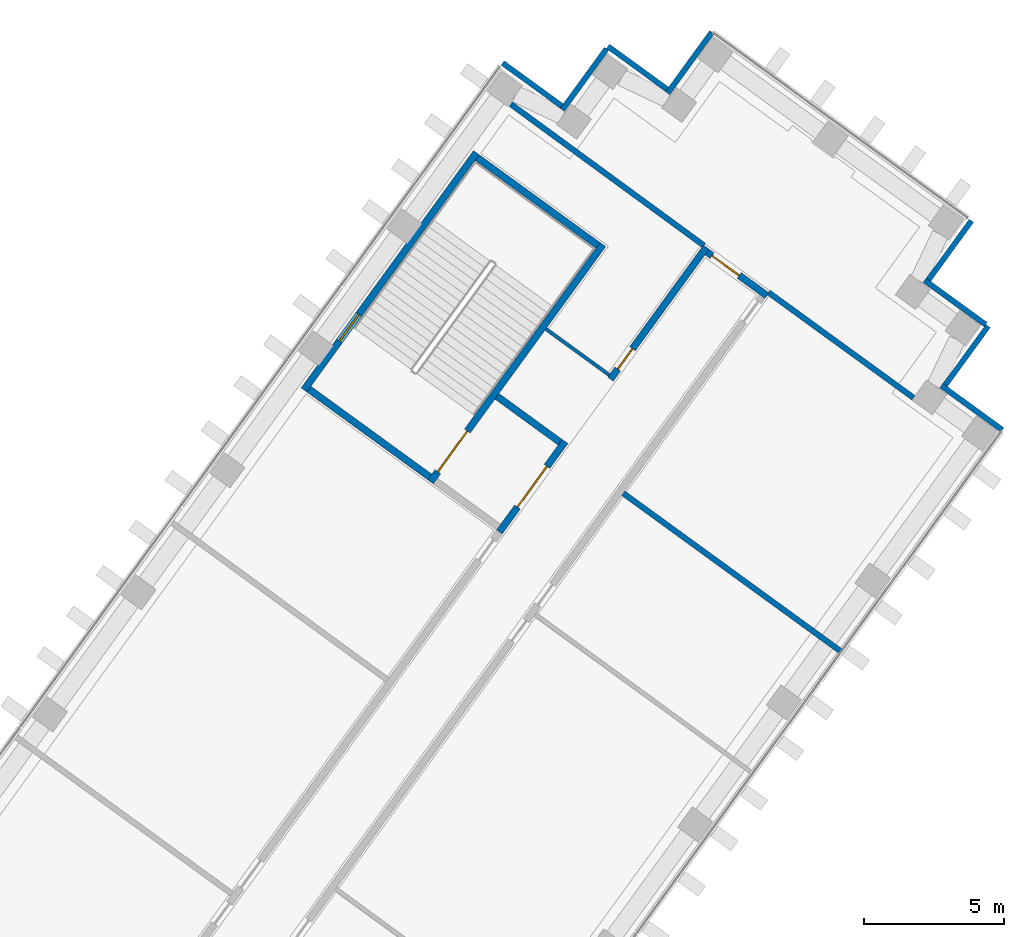
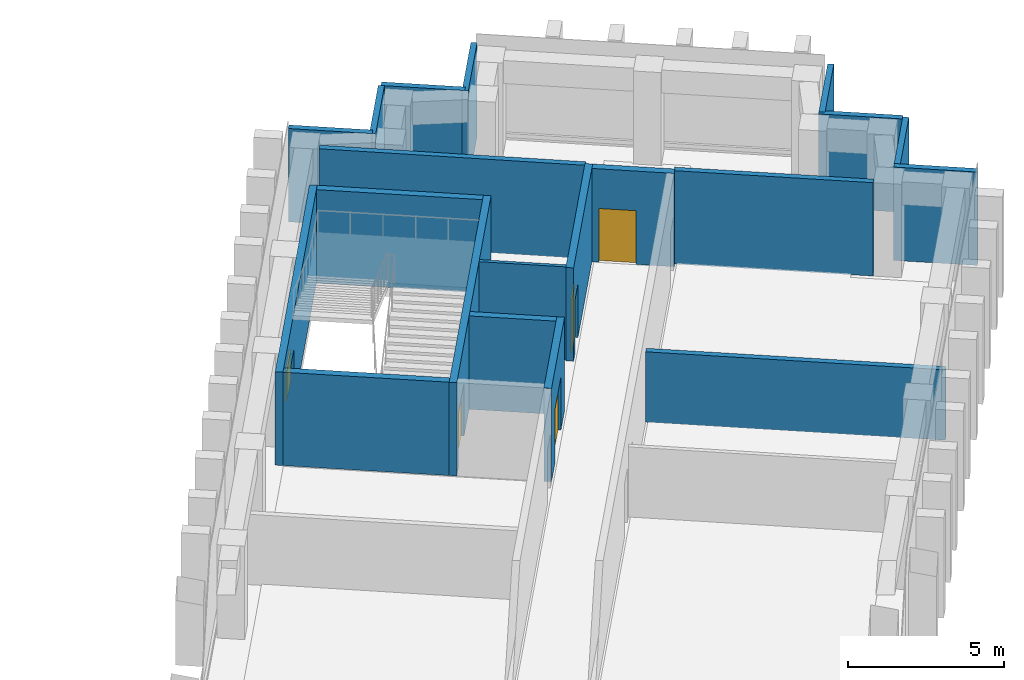
# One storey, part 12 of 17: 20 walls, 4 doors, 1 window, 5 openings.
"""IFC4 building model written with IfcOpenShell, lengths in metres."""

from ifc_helpers import new_model, si_unit, direction, frame, frame_2d, origin, place, context, subcontext, project, spatial, rectangle, extrude, material, layer, layer_set, type_object, element, fill, save


model = new_model("IFC4")

# Units and contexts
model_context = context("Model", 3, precision=1e-05, world=origin(), true_north=direction((0.0, 1.0)))
body_context = subcontext(model_context, "Body", "Model", "MODEL_VIEW")
ifc_project = project(units=[si_unit("LENGTHUNIT", "METRE"), si_unit("AREAUNIT", "SQUARE_METRE"), si_unit("VOLUMEUNIT", "CUBIC_METRE"), si_unit("PLANEANGLEUNIT", "RADIAN"), si_unit("MASSUNIT", "GRAM", prefix="KILO")], contexts=[model_context])

# Site, building, storey
site_placement = place(None, origin())
site = spatial("IfcSite", under=ifc_project, at=site_placement, CompositionType="ELEMENT")
building_placement = place(site_placement, origin())
building = spatial("IfcBuilding", under=site, at=building_placement, Name="Quipu Civic Tower", CompositionType="ELEMENT")
storey_placement = place(building_placement, frame((0.0, 0.0, 43.0)))
storey = spatial("IfcBuildingStorey", under=building, at=storey_placement, Name="L09", CompositionType="ELEMENT", Elevation=43.0)

# Walls
ifc_material_1 = material(Name="Fired clay blockwork", Category="masonry")
ifc_layer_1 = layer(ifc_material_1, 0.199951171875)
ifc_layer_set_1 = layer_set([ifc_layer_1], Name="Fired clay blockwork")
wall_type_1 = type_object("IfcWallType", Name="Blockwork wall 200", PredefinedType="SOLIDWALL", material=ifc_layer_set_1)
wall_1_placement = place(storey_placement, frame((37.643310546875, 41.296875, 0.0), z_axis=(0.0, 0.0, 1.0), x_axis=(0.806949857155, -0.590619952286, 0.0)))
element("IfcWall", 1, at=wall_1_placement, inside=storey, type_object=wall_type_1, Name="Partition P01", PredefinedType="SOLIDWALL", context=body_context, shape_type="SweptSolid", body=[
    extrude(rectangle(XDim=8.5703125, YDim=0.199951171875, at=frame_2d((4.28515625, 0.0))), origin(), (0.0, 0.0, 1.0), 3.64990234375),
])
wall_2_placement = place(storey_placement, frame((46.872802734375, 34.553955078125, 0.0), z_axis=(0.0, 0.0, 1.0), x_axis=(0.808992766665, -0.58781859743, 0.0)))
element("IfcWall", 2, at=wall_2_placement, inside=storey, type_object=wall_type_1, Name="Partition P02", PredefinedType="SOLIDWALL", context=body_context, shape_type="SweptSolid", body=[
    extrude(rectangle(XDim=6.414306640625, YDim=0.199951171875, at=frame_2d((3.20703125, 0.0))), origin(), (0.0, 0.0, 1.0), 3.64990234375),
])
wall_3_placement = place(storey_placement, frame((49.47998046875, 21.689697265625, 0.0), z_axis=(0.0, 0.0, 1.0), x_axis=(-0.808999631097, 0.587809150052, 0.0)))
element("IfcWall", 3, at=wall_3_placement, inside=storey, type_object=wall_type_1, Name="Partition P07", PredefinedType="SOLIDWALL", context=body_context, shape_type="SweptSolid", body=[
    extrude(rectangle(XDim=9.6513671875, YDim=0.199951171875, at=frame_2d((4.82568359375, 0.0))), origin(), (0.0, 0.0, 1.0), 2.75),
])

# Wall, opening, door
ifc_material_2 = material(Name="Concrete C70/85", Category="concrete")
ifc_layer_2 = layer(ifc_material_2, 0.25)
ifc_layer_set_2 = layer_set([ifc_layer_2], Name="Concrete C70/85")
wall_type_2 = type_object("IfcWallType", Name="Core wall 250", PredefinedType="SHEAR", material=ifc_layer_set_2)
wall_4_placement = place(storey_placement, frame((37.237548828125, 25.979736328125, 0.0), z_axis=(0.0, 0.0, 1.0), x_axis=(0.587772420479, 0.809026317077, 0.0)))
wall_4 = element("IfcWall", 4, at=wall_4_placement, inside=storey, type_object=wall_type_2, Name="Core wall", PredefinedType="SHEAR", context=body_context, shape_type="SweptSolid", body=[
    extrude(rectangle(XDim=4.0, YDim=0.25, at=frame_2d((2.0, 0.0))), origin(), (0.0, 0.0, 1.0), 3.64990234375),
])
opening_1_placement = place(wall_4_placement, frame((1.10009765625, 0.0, 0.0)))
opening_1 = element("IfcOpeningElement", 5, at=opening_1_placement, cuts=wall_4, Name="Opening CD-20", PredefinedType="OPENING", context=body_context, shape_type="SweptSolid", body=[
    extrude(rectangle(XDim=1.800048828125, YDim=2.10009765625, at=frame_2d((0.89990234375, 1.050048828125))), frame((0.0, 0.135009765625, 0.0), z_axis=(0.0, -1.0, 0.0), x_axis=(1.0, 0.0, 0.0)), (0.0, 0.0, 1.0), 0.27001953125),
])
ifc_material_3 = material(Name="Fire rated steel door", Category="steel")
door_type_1 = type_object("IfcDoorType", Name="Fire door FD90 double 1800 x 2100", OperationType="NOTDEFINED", PredefinedType="DOOR", material=ifc_material_3)
door_1_placement = place(opening_1_placement, origin())
door_1 = element("IfcDoor", 6, at=door_1_placement, inside=storey, type_object=door_type_1, Name="Lobby door", OperationType="DOUBLE_DOOR_SINGLE_SWING", OverallHeight=2.10009765625, OverallWidth=1.800048828125, PredefinedType="DOOR", context=body_context, shape_type="SweptSolid", body=[
    extrude(rectangle(XDim=1.800048828125, YDim=2.10009765625, at=frame_2d((0.89990234375, 1.050048828125))), frame((0.0, 0.02490234375, 0.0), z_axis=(0.0, -1.0, 0.0), x_axis=(1.0, 0.0, 0.0)), (0.0, 0.0, 1.0), 0.050048828125),
])
fill(opening_1, door_1)

# Wall
wall_5_placement = place(storey_placement, frame((39.4140625, 29.18798828125, 0.0), z_axis=(0.0, 0.0, 1.0), x_axis=(-0.808969789945, 0.58785021813, 0.0)))
element("IfcWall", 7, at=wall_5_placement, inside=storey, type_object=wall_type_2, Name="Core wall", PredefinedType="SHEAR", context=body_context, shape_type="SweptSolid", body=[
    extrude(rectangle(XDim=2.800048828125, YDim=0.25, at=frame_2d((1.39990234375, 0.0))), origin(), (0.0, 0.0, 1.0), 3.64990234375),
])

# Wall, opening, door
wall_6_placement = place(storey_placement, frame((34.77001953125, 27.7724609375, 0.0), z_axis=(0.0, 0.0, 1.0), x_axis=(0.587795589702, 0.809009483706, 0.0)))
wall_6 = element("IfcWall", 8, at=wall_6_placement, inside=storey, type_object=wall_type_2, Name="Core wall", PredefinedType="SHEAR", context=body_context, shape_type="SweptSolid", body=[
    extrude(rectangle(XDim=10.5, YDim=0.25, at=frame_2d((5.25, 0.0))), origin(), (0.0, 0.0, 1.0), 3.64990234375),
])
opening_2_placement = place(wall_6_placement, frame((0.449951171875, 0.0, 0.0)))
opening_2 = element("IfcOpeningElement", 9, at=opening_2_placement, cuts=wall_6, Name="Opening CD-21", PredefinedType="OPENING", context=body_context, shape_type="SweptSolid", body=[
    extrude(rectangle(XDim=1.800048828125, YDim=2.10009765625, at=frame_2d((0.89990234375, 1.050048828125))), frame((0.0, 0.135009765625, 0.0), z_axis=(0.0, -1.0, 0.0), x_axis=(1.0, 0.0, 0.0)), (0.0, 0.0, 1.0), 0.27001953125),
])
door_2_placement = place(opening_2_placement, origin())
door_2 = element("IfcDoor", 10, at=door_2_placement, inside=storey, type_object=door_type_1, Name="Door", OperationType="DOUBLE_DOOR_SINGLE_SWING", OverallHeight=2.10009765625, OverallWidth=1.800048828125, PredefinedType="DOOR", context=body_context, shape_type="SweptSolid", body=[
    extrude(rectangle(XDim=1.800048828125, YDim=2.10009765625, at=frame_2d((0.89990234375, 1.050048828125))), frame((0.0, 0.02490234375, 0.0), z_axis=(0.0, -1.0, 0.0), x_axis=(1.0, 0.0, 0.0)), (0.0, 0.0, 1.0), 0.050048828125),
])
fill(opening_2, door_2)

# Walls
wall_7_placement = place(storey_placement, frame((34.742431640625, 27.947021484375, 0.0), z_axis=(0.0, 0.0, 1.0), x_axis=(-0.8089984606, 0.587810760999, 0.0)))
element("IfcWall", 11, at=wall_7_placement, inside=storey, type_object=wall_type_2, Name="Core wall", PredefinedType="SHEAR", context=body_context, shape_type="SweptSolid", body=[
    extrude(rectangle(XDim=5.35009765625, YDim=0.25, at=frame_2d((2.675048828125, 0.0))), origin(), (0.0, 0.0, 1.0), 3.64990234375),
])
wall_8_placement = place(storey_placement, frame((40.76708984375, 36.239501953125, 0.0), z_axis=(0.0, 0.0, 1.0), x_axis=(-0.809020161303, 0.587780893365, 0.0)))
element("IfcWall", 12, at=wall_8_placement, inside=storey, type_object=wall_type_2, Name="Core wall", PredefinedType="SHEAR", context=body_context, shape_type="SweptSolid", body=[
    extrude(rectangle(XDim=5.349853515625, YDim=0.25, at=frame_2d((2.6748046875, 0.0))), origin(), (0.0, 0.0, 1.0), 3.64990234375),
])

# Wall, opening, window
wall_9_placement = place(storey_placement, frame((30.239501953125, 31.06396484375, 0.0), z_axis=(0.0, 0.0, 1.0), x_axis=(0.587795589702, 0.809009483706, 0.0)))
wall_9 = element("IfcWall", 13, at=wall_9_placement, inside=storey, type_object=wall_type_2, Name="Core wall", PredefinedType="SHEAR", context=body_context, shape_type="SweptSolid", body=[
    extrude(rectangle(XDim=10.5, YDim=0.25, at=frame_2d((5.25, 0.0))), origin(), (0.0, 0.0, 1.0), 3.64990234375),
])
opening_3_placement = place(wall_9_placement, frame((2.14990234375, 0.0, 1.0)))
opening_3 = element("IfcOpeningElement", 14, at=opening_3_placement, cuts=wall_9, Name="Opening SV-7", PredefinedType="OPENING", context=body_context, shape_type="SweptSolid", body=[
    extrude(rectangle(XDim=1.199951171875, YDim=1.199951171875, at=frame_2d((0.60009765625, 0.60009765625))), frame((0.0, 0.135009765625, 0.0), z_axis=(0.0, -1.0, 0.0), x_axis=(1.0, 0.0, 0.0)), (0.0, 0.0, 1.0), 0.27001953125),
])
ifc_material_4 = material(Name="Aluminium louvre", Category="aluminium")
window_type = type_object("IfcWindowType", Name="Stair ventilation louvre 1200 x 1200", PartitioningType="SINGLE_PANEL", PredefinedType="WINDOW", material=ifc_material_4)
window_placement = place(opening_3_placement, origin())
window = element("IfcWindow", 15, at=window_placement, inside=storey, type_object=window_type, Name="Stair ventilation opening", OverallHeight=1.199951171875, OverallWidth=1.199951171875, PartitioningType="SINGLE_PANEL", PredefinedType="WINDOW", context=body_context, shape_type="SweptSolid", body=[
    extrude(rectangle(XDim=1.199951171875, YDim=1.199951171875, at=frame_2d((0.60009765625, 0.60009765625))), frame((0.0, 0.030029296875, 0.0), z_axis=(0.0, -1.0, 0.0), x_axis=(1.0, 0.0, 0.0)), (0.0, 0.0, 1.0), 0.06005859375),
])
fill(opening_3, window)

# Wall, opening, door
ifc_material_5 = material(Name="Concrete C50/60", Category="concrete")
ifc_layer_3 = layer(ifc_material_5, 0.25)
ifc_layer_set_3 = layer_set([ifc_layer_3], Name="Concrete C50/60")
wall_type_3 = type_object("IfcWallType", Name="Corridor wall 250 concrete", PredefinedType="SOLIDWALL", material=ifc_layer_set_3)
wall_10_placement = place(storey_placement, frame((41.213134765625, 31.451416015625, 0.0), z_axis=(0.0, 0.0, 1.0), x_axis=(0.587783636081, 0.809018168619, 0.0)))
wall_10 = element("IfcWall", 16, at=wall_10_placement, inside=storey, type_object=wall_type_3, Name="Corridor wall C07", PredefinedType="SOLIDWALL", context=body_context, shape_type="SweptSolid", body=[
    extrude(rectangle(XDim=5.836669921875, YDim=0.25, at=frame_2d((2.91845703125, 0.0))), origin(), (0.0, 0.0, 1.0), 3.64990234375),
])
opening_4_placement = place(wall_10_placement, frame((0.44140625, 0.0, 0.0)))
opening_4 = element("IfcOpeningElement", 17, at=opening_4_placement, cuts=wall_10, Name="Opening D004", PredefinedType="OPENING", context=body_context, shape_type="SweptSolid", body=[
    extrude(rectangle(XDim=0.89990234375, YDim=2.10009765625, at=frame_2d((0.449951171875, 1.050048828125))), frame((0.0, 0.135009765625, 0.0), z_axis=(0.0, -1.0, 0.0), x_axis=(1.0, 0.0, 0.0)), (0.0, 0.0, 1.0), 0.27001953125),
])
ifc_material_6 = material(Name="Fire rated timber door set with metal frame", Category="wood")
door_type_2 = type_object("IfcDoorType", Name="Single door 900 x 2100 FD60", OperationType="NOTDEFINED", PredefinedType="DOOR", material=ifc_material_6)
door_3_placement = place(opening_4_placement, origin())
door_3 = element("IfcDoor", 18, at=door_3_placement, inside=storey, type_object=door_type_2, Name="Door D004", OperationType="SINGLE_SWING_LEFT", OverallHeight=2.10009765625, OverallWidth=0.89990234375, PredefinedType="DOOR", context=body_context, shape_type="SweptSolid", body=[
    extrude(rectangle(XDim=0.89990234375, YDim=2.10009765625, at=frame_2d((0.449951171875, 1.050048828125))), frame((0.0, 0.02490234375, 0.0), z_axis=(0.0, -1.0, 0.0), x_axis=(1.0, 0.0, 0.0)), (0.0, 0.0, 1.0), 0.050048828125),
])
fill(opening_4, door_3)

wall_11_placement = place(storey_placement, frame((44.67138671875, 35.998779296875, 0.0), z_axis=(0.0, 0.0, 1.0), x_axis=(0.809006914995, -0.587799125119, 0.0)))
wall_11 = element("IfcWall", 19, at=wall_11_placement, inside=storey, type_object=wall_type_3, Name="Corridor wall C08", PredefinedType="SOLIDWALL", context=body_context, shape_type="SweptSolid", body=[
    extrude(rectangle(XDim=2.64990234375, YDim=0.25, at=frame_2d((1.324951171875, 0.0))), origin(), (0.0, 0.0, 1.0), 3.64990234375),
])
opening_5_placement = place(wall_11_placement, frame((0.224853515625, 0.0, 0.0)))
opening_5 = element("IfcOpeningElement", 20, at=opening_5_placement, cuts=wall_11, Name="Opening D010", PredefinedType="OPENING", context=body_context, shape_type="SweptSolid", body=[
    extrude(rectangle(XDim=1.199951171875, YDim=2.10009765625, at=frame_2d((0.60009765625, 1.050048828125))), frame((0.0, 0.135009765625, 0.0), z_axis=(0.0, -1.0, 0.0), x_axis=(1.0, 0.0, 0.0)), (0.0, 0.0, 1.0), 0.27001953125),
])
ifc_material_7 = material(Name="Fire rated timber door set with metal frame", Category="wood")
door_type_3 = type_object("IfcDoorType", Name="Single door 1200 x 2100 FD60", OperationType="NOTDEFINED", PredefinedType="DOOR", material=ifc_material_7)
door_4_placement = place(opening_5_placement, origin())
door_4 = element("IfcDoor", 21, at=door_4_placement, inside=storey, type_object=door_type_3, Name="Door D010", OperationType="SINGLE_SWING_LEFT", OverallHeight=2.10009765625, OverallWidth=1.199951171875, PredefinedType="DOOR", context=body_context, shape_type="SweptSolid", body=[
    extrude(rectangle(XDim=1.199951171875, YDim=2.10009765625, at=frame_2d((0.60009765625, 1.050048828125))), frame((0.0, 0.02490234375, 0.0), z_axis=(0.0, -1.0, 0.0), x_axis=(1.0, 0.0, 0.0)), (0.0, 0.0, 1.0), 0.050048828125),
])
fill(opening_5, door_4)

# Walls
ifc_material_8 = material(Name="Gypsum plasterboard on light gauge framing")
ifc_layer_4 = layer(ifc_material_8, 0.1201171875)
ifc_layer_set_4 = layer_set([ifc_layer_4], Name="Gypsum plasterboard on light gauge framing")
wall_type_4 = type_object("IfcWallType", Name="Partition 120 plasterboard", PredefinedType="PARTITIONING", material=ifc_layer_set_4)
wall_12_placement = place(storey_placement, frame((38.89990234375, 33.2451171875, 0.0), z_axis=(0.0, 0.0, 1.0), x_axis=(0.809090262332, -0.587684394381, 0.0)))
element("IfcWall", 22, at=wall_12_placement, inside=storey, type_object=wall_type_4, Name="Partition P20", PredefinedType="PARTITIONING", context=body_context, shape_type="SweptSolid", body=[
    extrude(rectangle(XDim=2.80078125, YDim=0.1201171875, at=frame_2d((1.400390625, 0.0))), origin(), (0.0, 0.0, 1.0), 3.64990234375),
])
ifc_material_9 = material(Name="Precast concrete C40/50", Category="concrete")
wall_type_5 = type_object("IfcWallType", Name="Precast cladding wall", PredefinedType="SOLIDWALL", material=ifc_material_9)
wall_13_placement = place(storey_placement, frame((55.2470703125, 29.62890625, 0.0), z_axis=(0.0, 0.0, 1.0), x_axis=(-0.809033161865, 0.587762999008, 0.0)))
element("IfcWall", 23, at=wall_13_placement, inside=storey, type_object=wall_type_5, Name="Precast cladding wall L09 20", PredefinedType="SOLIDWALL", context=body_context, shape_type="SweptSolid", body=[
    extrude(rectangle(XDim=2.699951171875, YDim=0.199951171875, at=frame_2d((1.35009765625, 0.0))), origin(), (0.0, 0.0, 1.0), 3.64990234375),
])
wall_14_placement = place(storey_placement, frame((53.150634765625, 31.166748046875, 0.0), z_axis=(0.0, 0.0, 1.0), x_axis=(0.587779184282, 0.809021403008, 0.0)))
element("IfcWall", 24, at=wall_14_placement, inside=storey, type_object=wall_type_5, Name="Precast cladding wall L09 21", PredefinedType="SOLIDWALL", context=body_context, shape_type="SweptSolid", body=[
    extrude(rectangle(XDim=2.7001953125, YDim=0.199951171875, at=frame_2d((1.35009765625, 0.0))), origin(), (0.0, 0.0, 1.0), 3.64990234375),
])
for number, where, z_axis, x_axis, name in (
    (25, (54.649658203125, 33.400390625, 0.0), (0.0, 0.0, 1.0), (-0.809033161865, 0.587762999008, 0.0), "Precast cladding wall L09 22"),
    (26, (52.55322265625, 34.938232421875, 0.0), (0.0, 0.0, 1.0), (0.587822180636, 0.808990163075, 0.0), "Precast cladding wall L09 23"),
    (27, (44.846435546875, 43.875, 0.0), (0.0, 0.0, 1.0), (-0.587822180636, -0.808990163075, 0.0), "Precast cladding wall L09 25"),
    (28, (43.308349609375, 41.77880859375, 0.0), (0.0, 0.0, 1.0), (-0.809033161865, 0.587762999008, 0.0), "Precast cladding wall L09 26"),
):
    element("IfcWall", number, at=place(storey_placement, frame(where, z_axis=z_axis, x_axis=x_axis)), inside=storey, type_object=wall_type_5, Name=name, PredefinedType="SOLIDWALL", context=body_context, shape_type="SweptSolid", body=[
        extrude(rectangle(XDim=2.699951171875, YDim=0.199951171875, at=frame_2d((1.35009765625, 0.0))), origin(), (0.0, 0.0, 1.0), 3.64990234375),
    ])
wall_15_placement = place(storey_placement, frame((41.074951171875, 43.277587890625, 0.0), z_axis=(0.0, 0.0, 1.0), x_axis=(-0.587806000234, -0.809001919707, 0.0)))
element("IfcWall", 29, at=wall_15_placement, inside=storey, type_object=wall_type_5, Name="Precast cladding wall L09 27", PredefinedType="SOLIDWALL", context=body_context, shape_type="SweptSolid", body=[
    extrude(rectangle(XDim=2.69970703125, YDim=0.199951171875, at=frame_2d((1.349853515625, 0.0))), origin(), (0.0, 0.0, 1.0), 3.64990234375),
])
wall_16_placement = place(storey_placement, frame((39.537109375, 41.181396484375, 0.0), z_axis=(0.0, 0.0, 1.0), x_axis=(-0.809033161865, 0.587762999008, 0.0)))
element("IfcWall", 30, at=wall_16_placement, inside=storey, type_object=wall_type_5, Name="Precast cladding wall L09 28", PredefinedType="SOLIDWALL", context=body_context, shape_type="SweptSolid", body=[
    extrude(rectangle(XDim=2.699951171875, YDim=0.199951171875, at=frame_2d((1.35009765625, 0.0))), origin(), (0.0, 0.0, 1.0), 3.64990234375),
])

save(model, "model.ifc")
